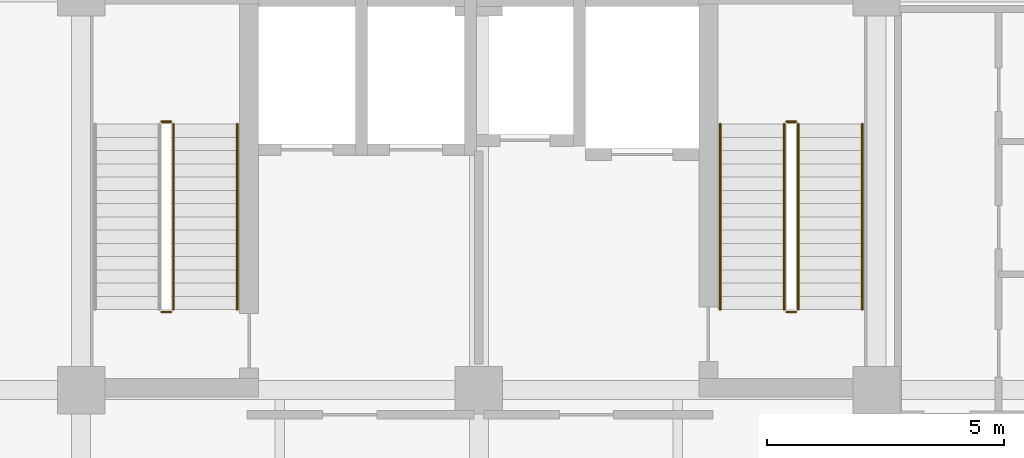
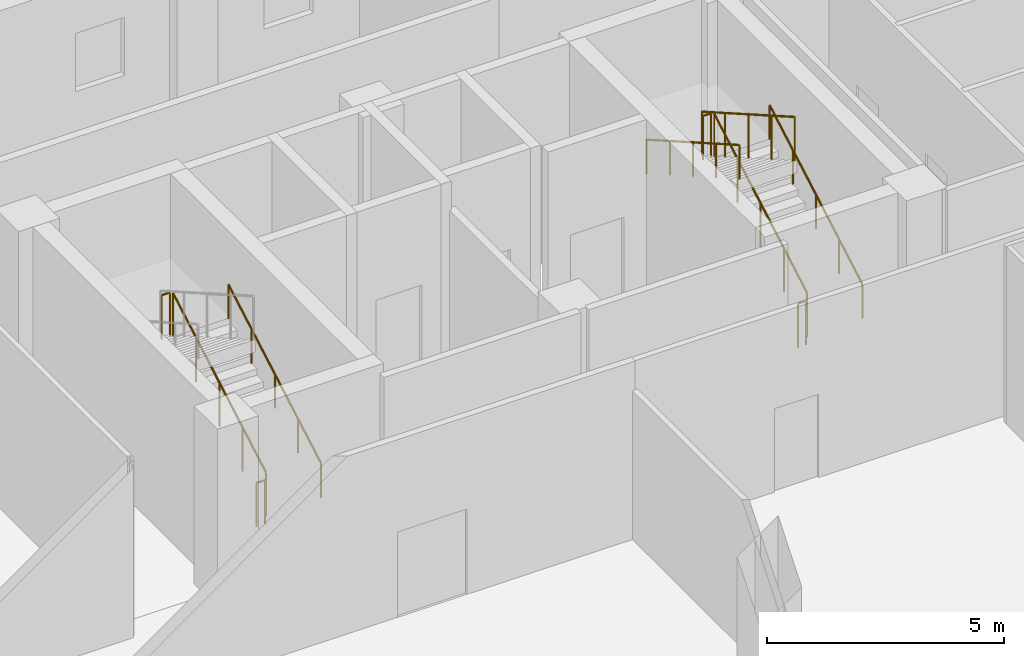
# One storey, part 31 of 31: 10 railings.
"""IFC4 building model written with IfcOpenShell, lengths in metres."""

import ifcopenshell
import ifcopenshell.guid

model = None  # the IFC model being written
_history = None  # IfcOwnerHistory: only IFC2X3 demands one
_inside = {}  # id of a spatial element -> (the spatial element, [elements in it])
_under = {}  # id of a project, library or spatial element -> (it, [spatial elements below it])
_declared = {}  # id of a project -> (the project, [libraries it declares])
_typed = {}  # id of a type object -> (the type object, [elements of that type])
_made_of = {}  # id of a material, layer set ... -> (it, [elements and type objects made of it])


def new_model(schema):
    """Start an empty IFC model of exactly this schema.

    Asked for "IFC4X3", IfcOpenShell would pick the latest addendum, in which some entities
    have other attributes; the version numbers below select the first issue.
    IFC2X3 requires an IfcOwnerHistory on every rooted entity: one is made here for all.
    """
    global model, _history
    if schema == "IFC4X3":
        model = ifcopenshell.file(schema_version=(4, 3, 0, 0))
    else:
        model = ifcopenshell.file(schema=schema)
    _inside.clear()
    _under.clear()
    _declared.clear()
    _typed.clear()
    _made_of.clear()
    _history = None
    if model.schema == "IFC2X3":
        org = make("IfcOrganization", Name="unknown")
        user = make(
            "IfcPersonAndOrganization",
            ThePerson=make("IfcPerson", FamilyName="unknown"),
            TheOrganization=org,
        )
        app = make(
            "IfcApplication",
            ApplicationDeveloper=org,
            Version="unknown",
            ApplicationFullName="unknown",
            ApplicationIdentifier="unknown",
        )
        _history = make(
            "IfcOwnerHistory",
            OwningUser=user,
            OwningApplication=app,
            ChangeAction="ADDED",
            CreationDate=0,
        )
    return model


def make(cls, **values):
    """One entity of the class cls with the attributes given. An attribute that is None is left unset."""
    return model.create_entity(
        cls, **{name: value for name, value in values.items() if value is not None}
    )


def rooted(cls, **values):
    """An entity with a GlobalId (a new one), such as an element, a storey or a relation."""
    return make(cls, GlobalId=ifcopenshell.guid.new(), OwnerHistory=_history, **values)


def si_unit(unit_type, name, prefix=None):
    """IfcSIUnit, for example si_unit("LENGTHUNIT", "METRE", prefix="MILLI")."""
    return make("IfcSIUnit", UnitType=unit_type, Prefix=prefix, Name=name)


def assignment(units):
    """IfcUnitAssignment: the units of a project."""
    return None if units is None else make("IfcUnitAssignment", Units=units)


def point(xyz):
    """IfcCartesianPoint."""
    return None if xyz is None else make("IfcCartesianPoint", Coordinates=xyz)


def direction(xyz):
    """IfcDirection."""
    return None if xyz is None else make("IfcDirection", DirectionRatios=xyz)


def frame(location, z_axis=None, x_axis=None):
    """IfcAxis2Placement3D, a coordinate frame: its origin and axes. An axis left out is left unset."""
    return make(
        "IfcAxis2Placement3D",
        Location=point(location),
        Axis=direction(z_axis),
        RefDirection=direction(x_axis),
    )


def frame_2d(location, x_axis=None):
    """IfcAxis2Placement2D, a coordinate frame in the plane: its origin and x axis."""
    return make(
        "IfcAxis2Placement2D", Location=point(location), RefDirection=direction(x_axis)
    )


def origin():
    """The frame at (0, 0, 0) with its axes left unset."""
    return frame((0.0, 0.0, 0.0))


def origin_2d():
    """The frame at (0, 0) in the plane with its x axis left unset."""
    return frame_2d((0.0, 0.0))


def place(relative_to, where):
    """IfcLocalPlacement: puts the frame where relative to a parent placement (None: the world)."""
    return make(
        "IfcLocalPlacement", PlacementRelTo=relative_to, RelativePlacement=where
    )


def context(
    kind, dimensions, precision=None, world=None, true_north=None, identifier=None
):
    """IfcGeometricRepresentationContext, for example the 3D "Model" context."""
    return make(
        "IfcGeometricRepresentationContext",
        ContextIdentifier=identifier,
        ContextType=kind,
        CoordinateSpaceDimension=dimensions,
        Precision=precision,
        WorldCoordinateSystem=world,
        TrueNorth=true_north,
    )


def subcontext(parent, identifier, kind, view, scale=None):
    """IfcGeometricRepresentationSubContext, for example "Body" below "Model"."""
    return make(
        "IfcGeometricRepresentationSubContext",
        ContextIdentifier=identifier,
        ContextType=kind,
        ParentContext=parent,
        TargetScale=scale,
        TargetView=view,
    )


def project(units=None, contexts=None):
    """IfcProject with its units and contexts."""
    return rooted(
        "IfcProject",
        Name="project",
        RepresentationContexts=contexts,
        UnitsInContext=assignment(units),
    )


def spatial(cls, under=None, at=None, **own):
    """A site, building, storey or space (cls), placed at a placement, below another one or the project."""
    s = rooted(cls, ObjectPlacement=at, **own)
    if under is not None:
        _under.setdefault(under.id(), (under, []))[1].append(s)
    return s


def profile(cls, at=None, kind="AREA", **sizes):
    """A parametric profile (cls). Its sizes go by their IFC names, for example OverallWidth=200.0."""
    return make(cls, ProfileType=kind, Position=at, **sizes)


def circle(**sizes):
    """IfcCircleProfileDef."""
    return profile("IfcCircleProfileDef", **sizes)


def extrude(swept, where, along, depth):
    """IfcExtrudedAreaSolid: the profile swept, set in the frame where, extruded along a direction by depth."""
    return make(
        "IfcExtrudedAreaSolid",
        SweptArea=swept,
        Position=where,
        ExtrudedDirection=direction(along),
        Depth=depth,
    )


def shape(context_of_items, identifier, shape_type, items):
    """IfcShapeRepresentation: the items that make up one representation, for example the "Body"."""
    return make(
        "IfcShapeRepresentation",
        ContextOfItems=context_of_items,
        RepresentationIdentifier=identifier,
        RepresentationType=shape_type,
        Items=items,
    )


def material(Name=None, Category=None):
    """IfcMaterial."""
    return make("IfcMaterial", Name=Name, Category=Category)


def made_of(thing, what):
    """Note that an element or type object is made of a material, layer set ...; save() writes the relation."""
    if what is not None:
        _made_of.setdefault(what.id(), (what, []))[1].append(thing)
    return thing


def type_object(cls, material=None, **own):
    """A type object (cls), such as IfcWallType, which elements share."""
    return made_of(rooted(cls, **own), material)


def element(
    cls,
    number,
    at=None,
    inside=None,
    cuts=None,
    type_object=None,
    material=None,
    context=None,
    identifier="Body",
    shape_type=None,
    held_by="IfcProductDefinitionShape",
    body=None,
    shapes=None,
    **own,
):
    """One element of the class cls, such as IfcWall. Its Tag is "e" and its number.

    at: its placement. inside: the storey or other place that contains it. cuts: it is an
    opening in that element (IfcRelVoidsElement). A single representation is given by context,
    identifier, shape_type and body (its items); several are given by shapes. held_by: the class
    of the entity that holds the representations. save() writes the other relations.
    """
    e = rooted(cls, Tag="e%d" % number, ObjectPlacement=at, **own)
    if body is not None:
        shapes = [shape(context, identifier, shape_type, body)]
    if shapes is not None:
        e.Representation = make(held_by, Representations=shapes)
    if inside is not None:
        _inside.setdefault(inside.id(), (inside, []))[1].append(e)
    if cuts is not None:
        rooted(
            "IfcRelVoidsElement", RelatingBuildingElement=cuts, RelatedOpeningElement=e
        )
    if type_object is not None:
        _typed.setdefault(type_object.id(), (type_object, []))[1].append(e)
    return made_of(e, material)


def aggregate(whole, parts):
    """IfcRelAggregates: a whole, such as a stair, and the parts it consists of."""
    return rooted("IfcRelAggregates", RelatingObject=whole, RelatedObjects=parts)


def save(model, path):
    """Write the relations noted so far, then the file.

    IfcRelAggregates (storeys below a building ...), IfcRelContainedInSpatialStructure (elements
    in a storey), IfcRelDefinesByType, IfcRelAssociatesMaterial and IfcRelDeclares: one each for
    every whole, place, type object, material and project.
    """
    for whole, parts in _under.values():
        aggregate(whole, parts)
    for where, things in _inside.values():
        rooted(
            "IfcRelContainedInSpatialStructure",
            RelatedElements=things,
            RelatingStructure=where,
        )
    for kind, things in _typed.values():
        rooted("IfcRelDefinesByType", RelatedObjects=things, RelatingType=kind)
    for what, things in _made_of.values():
        rooted("IfcRelAssociatesMaterial", RelatedObjects=things, RelatingMaterial=what)
    for by, libraries in _declared.values():
        rooted("IfcRelDeclares", RelatingContext=by, RelatedDefinitions=libraries)
    model.write(path)


model = new_model("IFC4")

# Units and contexts
model_context = context("Model", 3, precision=1e-05, world=origin(), true_north=direction((0.0, 1.0)))
body_context = subcontext(model_context, "Body", "Model", "MODEL_VIEW")
ifc_project = project(units=[si_unit("LENGTHUNIT", "METRE"), si_unit("AREAUNIT", "SQUARE_METRE"), si_unit("VOLUMEUNIT", "CUBIC_METRE"), si_unit("PLANEANGLEUNIT", "RADIAN"), si_unit("MASSUNIT", "GRAM", prefix="KILO")], contexts=[model_context])

# Site, building, storey
site_placement = place(None, origin())
site = spatial("IfcSite", under=ifc_project, at=site_placement, CompositionType="ELEMENT")
building_placement = place(site_placement, origin())
building = spatial("IfcBuilding", under=site, at=building_placement, Name="Brinegate Botanical Conservatory", CompositionType="ELEMENT")
storey_placement = place(building_placement, frame((0.0, 0.0, 5.39990234375)))
storey = spatial("IfcBuildingStorey", under=building, at=storey_placement, Name="L02", CompositionType="ELEMENT", Elevation=5.39990234375)

# Railings
ifc_material_1 = material(Name="Structural steel Q355B / S355 painted tubular guardrail", Category="steel")
railing_type_1 = type_object("IfcRailingType", Name="Rail_ST-GRD", PredefinedType="GUARDRAIL", material=ifc_material_1)
railing_1_placement = place(storey_placement, frame((140.75, 96.89990234375, 0.16015625)))
element("IfcRailing", 1, at=railing_1_placement, inside=storey, type_object=railing_type_1, Name="L02 ST1 stair guard 1", PredefinedType="GUARDRAIL", context=body_context, shape_type="SweptSolid", body=[
    extrude(circle(Radius=0.02392578125, at=origin_2d()), frame((0.0, 0.0, 1.1259765625), z_axis=(0.0, 0.86825312469, 0.496121468458), x_axis=(-1.0, 0.0, 0.0)), (0.0, 0.0, 1.0), 4.514892578125),
    extrude(circle(Radius=0.02099609375, at=origin_2d()), origin(), (0.0, 0.0, 1.0), 1.101806640625),
    extrude(circle(Radius=0.02099609375, at=origin_2d()), frame((0.0, 0.97998046875, 0.56005859375)), (0.0, 0.0, 1.0), 1.101806640625),
    extrude(circle(Radius=0.02099609375, at=origin_2d()), frame((0.0, 1.9599609375, 1.1201171875)), (0.0, 0.0, 1.0), 1.101806640625),
    extrude(circle(Radius=0.02099609375, at=origin_2d()), frame((0.0, 2.940185546875, 1.679931640625)), (0.0, 0.0, 1.0), 1.101806640625),
    extrude(circle(Radius=0.02099609375, at=origin_2d()), frame((0.0, 3.920166015625, 2.239990234375)), (0.0, 0.0, 1.0), 1.101806640625),
])
for number, where, name in (
    (2, (140.699951171875, 100.8701171875, 2.400146484375), "L02 ST1 stair guard 2"),
    (3, (140.699951171875, 96.85009765625, 0.0), "L02 ST1 stair guard 4"),
):
    element("IfcRailing", number, at=place(storey_placement, frame(where)), inside=storey, type_object=railing_type_1, Name=name, PredefinedType="GUARDRAIL", context=body_context, shape_type="SweptSolid", body=[
        extrude(circle(Radius=0.02392578125, at=origin_2d()), frame((0.0, 0.0, 1.1259765625), z_axis=(-1.0, 0.0, 0.0), x_axis=(0.0, -1.0, 0.0)), (0.0, 0.0, 1.0), 0.199951171875),
        extrude(circle(Radius=0.02099609375, at=origin_2d()), origin(), (0.0, 0.0, 1.0), 1.101806640625),
        extrude(circle(Radius=0.02099609375, at=origin_2d()), frame((-0.199951171875, 0.0, 0.0)), (0.0, 0.0, 1.0), 1.101806640625),
    ])
railing_2_placement = place(storey_placement, frame((153.949951171875, 96.89990234375, 0.16015625)))
element("IfcRailing", 4, at=railing_2_placement, inside=storey, type_object=railing_type_1, Name="L02 ST2 stair guard 1", PredefinedType="GUARDRAIL", context=body_context, shape_type="SweptSolid", body=[
    extrude(circle(Radius=0.02392578125, at=origin_2d()), frame((0.0, 0.0, 1.1259765625), z_axis=(0.0, 0.86825312469, 0.496121468458), x_axis=(-1.0, 0.0, 0.0)), (0.0, 0.0, 1.0), 4.514892578125),
    extrude(circle(Radius=0.02099609375, at=origin_2d()), origin(), (0.0, 0.0, 1.0), 1.101806640625),
    extrude(circle(Radius=0.02099609375, at=origin_2d()), frame((0.0, 0.97998046875, 0.56005859375)), (0.0, 0.0, 1.0), 1.101806640625),
    extrude(circle(Radius=0.02099609375, at=origin_2d()), frame((0.0, 1.9599609375, 1.1201171875)), (0.0, 0.0, 1.0), 1.101806640625),
    extrude(circle(Radius=0.02099609375, at=origin_2d()), frame((0.0, 2.940185546875, 1.679931640625)), (0.0, 0.0, 1.0), 1.101806640625),
    extrude(circle(Radius=0.02099609375, at=origin_2d()), frame((0.0, 3.920166015625, 2.239990234375)), (0.0, 0.0, 1.0), 1.101806640625),
])
railing_3_placement = place(storey_placement, frame((153.89990234375, 100.8701171875, 2.400146484375)))
element("IfcRailing", 5, at=railing_3_placement, inside=storey, type_object=railing_type_1, Name="L02 ST2 stair guard 2", PredefinedType="GUARDRAIL", context=body_context, shape_type="SweptSolid", body=[
    extrude(circle(Radius=0.02392578125, at=origin_2d()), frame((0.0, 0.0, 1.1259765625), z_axis=(-1.0, 0.0, 0.0), x_axis=(0.0, -1.0, 0.0)), (0.0, 0.0, 1.0), 0.199951171875),
    extrude(circle(Radius=0.02099609375, at=origin_2d()), origin(), (0.0, 0.0, 1.0), 1.101806640625),
    extrude(circle(Radius=0.02099609375, at=origin_2d()), frame((-0.199951171875, 0.0, 0.0)), (0.0, 0.0, 1.0), 1.101806640625),
])
railing_4_placement = place(storey_placement, frame((153.64990234375, 100.820068359375, 2.56005859375)))
element("IfcRailing", 6, at=railing_4_placement, inside=storey, type_object=railing_type_1, Name="L02 ST2 stair guard 3", PredefinedType="GUARDRAIL", context=body_context, shape_type="SweptSolid", body=[
    extrude(circle(Radius=0.02392578125, at=origin_2d()), frame((0.0, 0.0, 1.1259765625), z_axis=(0.0, -0.86825312469, 0.496121468458), x_axis=(1.0, 0.0, 0.0)), (0.0, 0.0, 1.0), 4.514892578125),
    extrude(circle(Radius=0.02099609375, at=origin_2d()), origin(), (0.0, 0.0, 1.0), 1.101806640625),
    extrude(circle(Radius=0.02099609375, at=origin_2d()), frame((0.0, -0.97998046875, 0.56005859375)), (0.0, 0.0, 1.0), 1.101806640625),
    extrude(circle(Radius=0.02099609375, at=origin_2d()), frame((0.0, -1.9599609375, 1.1201171875)), (0.0, 0.0, 1.0), 1.101806640625),
    extrude(circle(Radius=0.02099609375, at=origin_2d()), frame((0.0, -2.940185546875, 1.679931640625)), (0.0, 0.0, 1.0), 1.101806640625),
    extrude(circle(Radius=0.02099609375, at=origin_2d()), frame((0.0, -3.920166015625, 2.239990234375)), (0.0, 0.0, 1.0), 1.101806640625),
])
railing_5_placement = place(storey_placement, frame((153.89990234375, 96.85009765625, 0.0)))
element("IfcRailing", 7, at=railing_5_placement, inside=storey, type_object=railing_type_1, Name="L02 ST2 stair guard 4", PredefinedType="GUARDRAIL", context=body_context, shape_type="SweptSolid", body=[
    extrude(circle(Radius=0.02392578125, at=origin_2d()), frame((0.0, 0.0, 1.1259765625), z_axis=(-1.0, 0.0, 0.0), x_axis=(0.0, -1.0, 0.0)), (0.0, 0.0, 1.0), 0.199951171875),
    extrude(circle(Radius=0.02099609375, at=origin_2d()), origin(), (0.0, 0.0, 1.0), 1.101806640625),
    extrude(circle(Radius=0.02099609375, at=origin_2d()), frame((-0.199951171875, 0.0, 0.0)), (0.0, 0.0, 1.0), 1.101806640625),
])
ifc_material_2 = material(Name="Brushed stainless steel S355 handrail", Category="steel")
railing_type_2 = type_object("IfcRailingType", Name="Rail_ST-HND", PredefinedType="HANDRAIL", material=ifc_material_2)
for number, where, name in (
    (8, (142.10009765625, 96.89990234375, 0.16015625), "L02 ST1 stair handrail 1"),
    (9, (155.300048828125, 96.89990234375, 0.16015625), "L02 ST2 stair handrail 1"),
):
    element("IfcRailing", number, at=place(storey_placement, frame(where)), inside=storey, type_object=railing_type_2, Name=name, PredefinedType="HANDRAIL", context=body_context, shape_type="SweptSolid", body=[
        extrude(circle(Radius=0.02392578125, at=origin_2d()), frame((0.0, 0.0, 0.8759765625), z_axis=(0.0, 0.86825312469, 0.496121468458), x_axis=(-1.0, 0.0, 0.0)), (0.0, 0.0, 1.0), 4.514892578125),
        extrude(circle(Radius=0.02099609375, at=origin_2d()), origin(), (0.0, 0.0, 1.0), 0.851806640625),
        extrude(circle(Radius=0.02099609375, at=origin_2d()), frame((0.0, 0.97998046875, 0.56005859375)), (0.0, 0.0, 1.0), 0.851806640625),
        extrude(circle(Radius=0.02099609375, at=origin_2d()), frame((0.0, 1.9599609375, 1.1201171875)), (0.0, 0.0, 1.0), 0.851806640625),
        extrude(circle(Radius=0.02099609375, at=origin_2d()), frame((0.0, 2.940185546875, 1.679931640625)), (0.0, 0.0, 1.0), 0.851806640625),
        extrude(circle(Radius=0.02099609375, at=origin_2d()), frame((0.0, 3.920166015625, 2.239990234375)), (0.0, 0.0, 1.0), 0.851806640625),
    ])
railing_6_placement = place(storey_placement, frame((152.300048828125, 100.820068359375, 2.56005859375)))
element("IfcRailing", 10, at=railing_6_placement, inside=storey, type_object=railing_type_2, Name="L02 ST2 stair handrail 2", PredefinedType="HANDRAIL", context=body_context, shape_type="SweptSolid", body=[
    extrude(circle(Radius=0.02392578125, at=origin_2d()), frame((0.0, 0.0, 0.8759765625), z_axis=(0.0, -0.86825312469, 0.496121468458), x_axis=(1.0, 0.0, 0.0)), (0.0, 0.0, 1.0), 4.514892578125),
    extrude(circle(Radius=0.02099609375, at=origin_2d()), origin(), (0.0, 0.0, 1.0), 0.851806640625),
    extrude(circle(Radius=0.02099609375, at=origin_2d()), frame((0.0, -0.97998046875, 0.56005859375)), (0.0, 0.0, 1.0), 0.851806640625),
    extrude(circle(Radius=0.02099609375, at=origin_2d()), frame((0.0, -1.9599609375, 1.1201171875)), (0.0, 0.0, 1.0), 0.851806640625),
    extrude(circle(Radius=0.02099609375, at=origin_2d()), frame((0.0, -2.940185546875, 1.679931640625)), (0.0, 0.0, 1.0), 0.851806640625),
    extrude(circle(Radius=0.02099609375, at=origin_2d()), frame((0.0, -3.920166015625, 2.239990234375)), (0.0, 0.0, 1.0), 0.851806640625),
])

save(model, "model.ifc")
